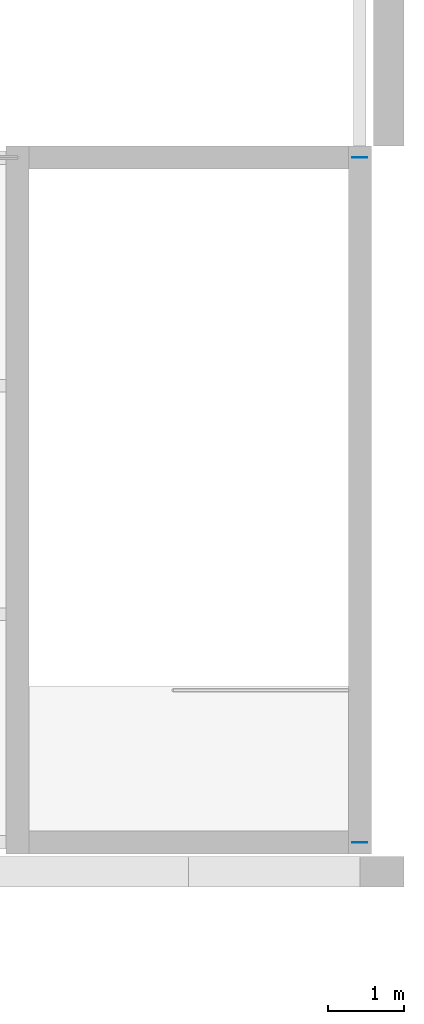
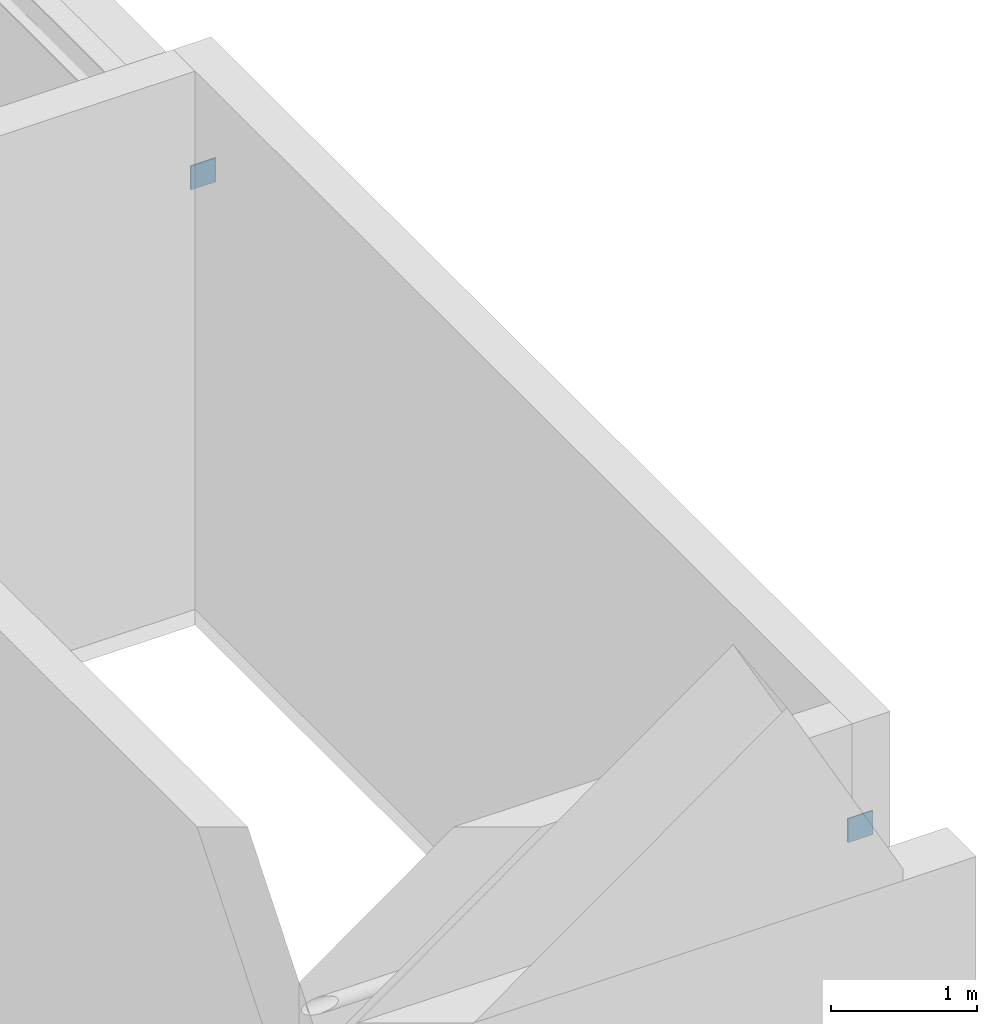
# One storey, part 45 of 59: 2 discrete accessories.
"""IFC4 building model written with IfcOpenShell, lengths in metres."""

import ifcopenshell
import ifcopenshell.guid

model = None  # the IFC model being written
_history = None  # IfcOwnerHistory: only IFC2X3 demands one
_inside = {}  # id of a spatial element -> (the spatial element, [elements in it])
_under = {}  # id of a project, library or spatial element -> (it, [spatial elements below it])
_declared = {}  # id of a project -> (the project, [libraries it declares])
_typed = {}  # id of a type object -> (the type object, [elements of that type])
_made_of = {}  # id of a material, layer set ... -> (it, [elements and type objects made of it])


def new_model(schema):
    """Start an empty IFC model of exactly this schema.

    Asked for "IFC4X3", IfcOpenShell would pick the latest addendum, in which some entities
    have other attributes; the version numbers below select the first issue.
    IFC2X3 requires an IfcOwnerHistory on every rooted entity: one is made here for all.
    """
    global model, _history
    if schema == "IFC4X3":
        model = ifcopenshell.file(schema_version=(4, 3, 0, 0))
    else:
        model = ifcopenshell.file(schema=schema)
    _inside.clear()
    _under.clear()
    _declared.clear()
    _typed.clear()
    _made_of.clear()
    _history = None
    if model.schema == "IFC2X3":
        org = make("IfcOrganization", Name="unknown")
        user = make(
            "IfcPersonAndOrganization",
            ThePerson=make("IfcPerson", FamilyName="unknown"),
            TheOrganization=org,
        )
        app = make(
            "IfcApplication",
            ApplicationDeveloper=org,
            Version="unknown",
            ApplicationFullName="unknown",
            ApplicationIdentifier="unknown",
        )
        _history = make(
            "IfcOwnerHistory",
            OwningUser=user,
            OwningApplication=app,
            ChangeAction="ADDED",
            CreationDate=0,
        )
    return model


def make(cls, **values):
    """One entity of the class cls with the attributes given. An attribute that is None is left unset."""
    return model.create_entity(
        cls, **{name: value for name, value in values.items() if value is not None}
    )


def rooted(cls, **values):
    """An entity with a GlobalId (a new one), such as an element, a storey or a relation."""
    return make(cls, GlobalId=ifcopenshell.guid.new(), OwnerHistory=_history, **values)


def si_unit(unit_type, name, prefix=None):
    """IfcSIUnit, for example si_unit("LENGTHUNIT", "METRE", prefix="MILLI")."""
    return make("IfcSIUnit", UnitType=unit_type, Prefix=prefix, Name=name)


def assignment(units):
    """IfcUnitAssignment: the units of a project."""
    return None if units is None else make("IfcUnitAssignment", Units=units)


def point(xyz):
    """IfcCartesianPoint."""
    return None if xyz is None else make("IfcCartesianPoint", Coordinates=xyz)


def direction(xyz):
    """IfcDirection."""
    return None if xyz is None else make("IfcDirection", DirectionRatios=xyz)


def frame(location, z_axis=None, x_axis=None):
    """IfcAxis2Placement3D, a coordinate frame: its origin and axes. An axis left out is left unset."""
    return make(
        "IfcAxis2Placement3D",
        Location=point(location),
        Axis=direction(z_axis),
        RefDirection=direction(x_axis),
    )


def frame_2d(location, x_axis=None):
    """IfcAxis2Placement2D, a coordinate frame in the plane: its origin and x axis."""
    return make(
        "IfcAxis2Placement2D", Location=point(location), RefDirection=direction(x_axis)
    )


def origin():
    """The frame at (0, 0, 0) with its axes left unset."""
    return frame((0.0, 0.0, 0.0))


def origin_2d():
    """The frame at (0, 0) in the plane with its x axis left unset."""
    return frame_2d((0.0, 0.0))


def place(relative_to, where):
    """IfcLocalPlacement: puts the frame where relative to a parent placement (None: the world)."""
    return make(
        "IfcLocalPlacement", PlacementRelTo=relative_to, RelativePlacement=where
    )


def context(
    kind, dimensions, precision=None, world=None, true_north=None, identifier=None
):
    """IfcGeometricRepresentationContext, for example the 3D "Model" context."""
    return make(
        "IfcGeometricRepresentationContext",
        ContextIdentifier=identifier,
        ContextType=kind,
        CoordinateSpaceDimension=dimensions,
        Precision=precision,
        WorldCoordinateSystem=world,
        TrueNorth=true_north,
    )


def subcontext(parent, identifier, kind, view, scale=None):
    """IfcGeometricRepresentationSubContext, for example "Body" below "Model"."""
    return make(
        "IfcGeometricRepresentationSubContext",
        ContextIdentifier=identifier,
        ContextType=kind,
        ParentContext=parent,
        TargetScale=scale,
        TargetView=view,
    )


def project(units=None, contexts=None):
    """IfcProject with its units and contexts."""
    return rooted(
        "IfcProject",
        Name="project",
        RepresentationContexts=contexts,
        UnitsInContext=assignment(units),
    )


def spatial(cls, under=None, at=None, **own):
    """A site, building, storey or space (cls), placed at a placement, below another one or the project."""
    s = rooted(cls, ObjectPlacement=at, **own)
    if under is not None:
        _under.setdefault(under.id(), (under, []))[1].append(s)
    return s


def profile(cls, at=None, kind="AREA", **sizes):
    """A parametric profile (cls). Its sizes go by their IFC names, for example OverallWidth=200.0."""
    return make(cls, ProfileType=kind, Position=at, **sizes)


def rectangle(**sizes):
    """IfcRectangleProfileDef."""
    return profile("IfcRectangleProfileDef", **sizes)


def extrude(swept, where, along, depth):
    """IfcExtrudedAreaSolid: the profile swept, set in the frame where, extruded along a direction by depth."""
    return make(
        "IfcExtrudedAreaSolid",
        SweptArea=swept,
        Position=where,
        ExtrudedDirection=direction(along),
        Depth=depth,
    )


def shape(context_of_items, identifier, shape_type, items):
    """IfcShapeRepresentation: the items that make up one representation, for example the "Body"."""
    return make(
        "IfcShapeRepresentation",
        ContextOfItems=context_of_items,
        RepresentationIdentifier=identifier,
        RepresentationType=shape_type,
        Items=items,
    )


def material(Name=None, Category=None):
    """IfcMaterial."""
    return make("IfcMaterial", Name=Name, Category=Category)


def made_of(thing, what):
    """Note that an element or type object is made of a material, layer set ...; save() writes the relation."""
    if what is not None:
        _made_of.setdefault(what.id(), (what, []))[1].append(thing)
    return thing


def type_object(cls, material=None, **own):
    """A type object (cls), such as IfcWallType, which elements share."""
    return made_of(rooted(cls, **own), material)


def element(
    cls,
    number,
    at=None,
    inside=None,
    cuts=None,
    type_object=None,
    material=None,
    context=None,
    identifier="Body",
    shape_type=None,
    held_by="IfcProductDefinitionShape",
    body=None,
    shapes=None,
    **own,
):
    """One element of the class cls, such as IfcWall. Its Tag is "e" and its number.

    at: its placement. inside: the storey or other place that contains it. cuts: it is an
    opening in that element (IfcRelVoidsElement). A single representation is given by context,
    identifier, shape_type and body (its items); several are given by shapes. held_by: the class
    of the entity that holds the representations. save() writes the other relations.
    """
    e = rooted(cls, Tag="e%d" % number, ObjectPlacement=at, **own)
    if body is not None:
        shapes = [shape(context, identifier, shape_type, body)]
    if shapes is not None:
        e.Representation = make(held_by, Representations=shapes)
    if inside is not None:
        _inside.setdefault(inside.id(), (inside, []))[1].append(e)
    if cuts is not None:
        rooted(
            "IfcRelVoidsElement", RelatingBuildingElement=cuts, RelatedOpeningElement=e
        )
    if type_object is not None:
        _typed.setdefault(type_object.id(), (type_object, []))[1].append(e)
    return made_of(e, material)


def aggregate(whole, parts):
    """IfcRelAggregates: a whole, such as a stair, and the parts it consists of."""
    return rooted("IfcRelAggregates", RelatingObject=whole, RelatedObjects=parts)


def save(model, path):
    """Write the relations noted so far, then the file.

    IfcRelAggregates (storeys below a building ...), IfcRelContainedInSpatialStructure (elements
    in a storey), IfcRelDefinesByType, IfcRelAssociatesMaterial and IfcRelDeclares: one each for
    every whole, place, type object, material and project.
    """
    for whole, parts in _under.values():
        aggregate(whole, parts)
    for where, things in _inside.values():
        rooted(
            "IfcRelContainedInSpatialStructure",
            RelatedElements=things,
            RelatingStructure=where,
        )
    for kind, things in _typed.values():
        rooted("IfcRelDefinesByType", RelatedObjects=things, RelatingType=kind)
    for what, things in _made_of.values():
        rooted("IfcRelAssociatesMaterial", RelatedObjects=things, RelatingMaterial=what)
    for by, libraries in _declared.values():
        rooted("IfcRelDeclares", RelatingContext=by, RelatedDefinitions=libraries)
    model.write(path)


model = new_model("IFC4")

# Units and contexts
model_context = context("Model", 3, precision=1e-05, world=origin(), true_north=direction((0.0, 1.0)))
body_context = subcontext(model_context, "Body", "Model", "MODEL_VIEW")
ifc_project = project(units=[si_unit("LENGTHUNIT", "METRE"), si_unit("AREAUNIT", "SQUARE_METRE"), si_unit("VOLUMEUNIT", "CUBIC_METRE"), si_unit("PLANEANGLEUNIT", "RADIAN"), si_unit("MASSUNIT", "GRAM", prefix="KILO")], contexts=[model_context])

# Site, building, storey
site_placement = place(None, origin())
site = spatial("IfcSite", under=ifc_project, at=site_placement, CompositionType="ELEMENT")
building_placement = place(site_placement, origin())
building = spatial("IfcBuilding", under=site, at=building_placement, Name="Hortulan Conservatory and Botanical Research Centre", CompositionType="ELEMENT")
storey_placement = place(building_placement, frame((0.0, 0.0, 10.5)))
storey = spatial("IfcBuildingStorey", under=building, at=storey_placement, Name="L02", CompositionType="ELEMENT", Elevation=10.5)

# Discrete accessories
ifc_material = material(Name="Steel Grade 300 plate (AS/NZS 3678, 280 MPa minimum yield)", Category="steel")
discrete_accessory_type = type_object("IfcDiscreteAccessoryType", Name="End Plate 200x10", PredefinedType="BRACKET", material=ifc_material)
for number, where, z_axis, x_axis, name in (
    (1, (108.0, 36.0, 3.39990234375), (0.0, 0.0, 1.0), (1.0, 0.0, 0.0), "Strut end plate"),
    (2, (108.0, 45.0, 3.39990234375), (0.0, 0.0, 1.0), (1.0, 0.0, 0.0), "Strut end plate"),
):
    element("IfcDiscreteAccessory", number, at=place(storey_placement, frame(where, z_axis=z_axis, x_axis=x_axis)), inside=storey, type_object=discrete_accessory_type, Name=name, PredefinedType="BRACKET", context=body_context, shape_type="SweptSolid", body=[
        extrude(rectangle(XDim=0.199951171875, YDim=0.010009765625, at=origin_2d()), origin(), (0.0, 0.0, 1.0), 0.199951171875),
    ])

save(model, "model.ifc")
